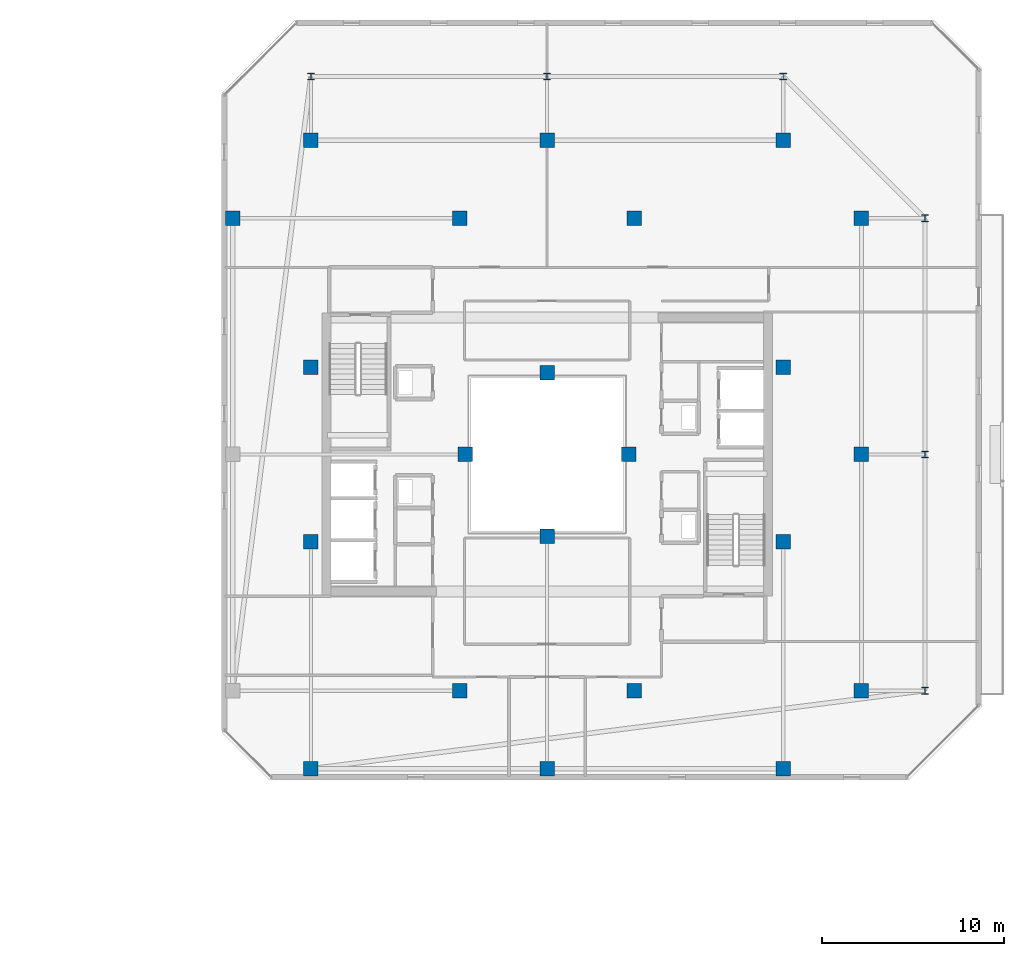
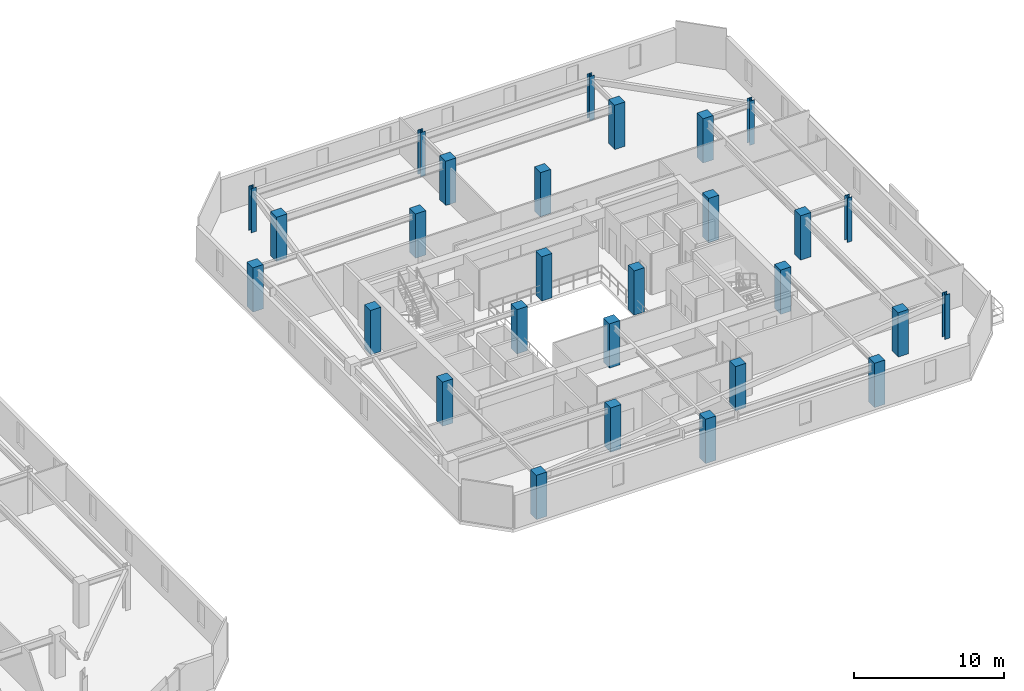
# One storey, part 4 of 34: 28 columns.
"""IFC4 building model written with IfcOpenShell, lengths in metres."""

from ifc_helpers import new_model, si_unit, direction, frame, origin, origin_2d, place, context, subcontext, project, spatial, rectangle, i_section, extrude, material, material_profile, profile_set, type_object, element, save


model = new_model("IFC4")

# Units and contexts
model_context = context("Model", 3, precision=1e-05, world=origin(), true_north=direction((0.0, 1.0)))
body_context = subcontext(model_context, "Body", "Model", "MODEL_VIEW")
ifc_project = project(units=[si_unit("LENGTHUNIT", "METRE"), si_unit("AREAUNIT", "SQUARE_METRE"), si_unit("VOLUMEUNIT", "CUBIC_METRE"), si_unit("PLANEANGLEUNIT", "RADIAN"), si_unit("MASSUNIT", "GRAM", prefix="KILO")], contexts=[model_context])

# Site, building, storey
site_placement = place(None, origin())
site = spatial("IfcSite", under=ifc_project, at=site_placement, CompositionType="ELEMENT")
building_placement = place(site_placement, origin())
building = spatial("IfcBuilding", under=site, at=building_placement, Name="Thornwick Lancets Civic Towers", CompositionType="ELEMENT")
storey_placement = place(building_placement, frame((0.0, 0.0, 258.300048828125)))
storey = spatial("IfcBuildingStorey", under=building, at=storey_placement, Name="L69", CompositionType="ELEMENT", Elevation=258.300048828125)

# Columns
ifc_material_1 = material(Name="Concrete C50/60", Category="concrete")
ifc_material_profile_1 = material_profile(ifc_material_1, rectangle(XDim=0.800048828125, YDim=0.800048828125, at=origin_2d()), Name="RC 800x800")
ifc_profile_set_1 = profile_set([ifc_material_profile_1], Name="Concrete C50/60")
column_type_1 = type_object("IfcColumnType", Name="COL_RC_800", PredefinedType="COLUMN", material=ifc_profile_set_1)
for number, where, z_axis, x_axis, name in (
    (1, (105.800048828125, 14.0, 0.0), (0.0, 0.0, 1.0), (1.0, 0.0, 0.0), "L69 Spine Mega-Column B01"),
    (2, (105.800048828125, 27.0, 0.0), (0.0, 0.0, 1.0), (1.0, 0.0, 0.0), "L69 Spine Mega-Column B02"),
    (3, (105.800048828125, 40.0, 0.0), (0.0, 0.0, 1.0), (1.0, 0.0, 0.0), "L69 Spine Mega-Column B03"),
    (4, (101.5, 44.300048828125, 0.0), (0.0, 0.0, 1.0), (1.0, 0.0, 0.0), "L69 Spine Mega-Column B04"),
    (5, (88.5, 44.300048828125, 0.0), (0.0, 0.0, 1.0), (1.0, 0.0, 0.0), "L69 Spine Mega-Column B05"),
    (6, (75.5, 44.300048828125, 0.0), (0.0, 0.0, 1.0), (1.0, 0.0, 0.0), "L69 Spine Mega-Column B06"),
    (7, (71.199951171875, 40.0, 0.0), (0.0, 0.0, 1.0), (1.0, 0.0, 0.0), "L69 Spine Mega-Column B09"),
    (8, (101.5, 9.699951171875, 0.0), (0.0, 0.0, 1.0), (1.0, 0.0, 0.0), "L69 Spine Mega-Column B10"),
    (9, (88.5, 9.699951171875, 0.0), (0.0, 0.0, 1.0), (1.0, 0.0, 0.0), "L69 Spine Mega-Column B11"),
    (10, (75.5, 9.699951171875, 0.0), (0.0, 0.0, 1.0), (1.0, 0.0, 0.0), "L69 Spine Mega-Column B12"),
    (11, (93.300048828125, 14.0, 0.0), (0.0, 0.0, 1.0), (1.0, 0.0, 0.0), "L69 Spine Mega-Column B13"),
    (12, (93.300048828125, 40.0, 0.0), (0.0, 0.0, 1.0), (1.0, 0.0, 0.0), "L69 Spine Mega-Column B14"),
    (13, (83.699951171875, 14.0, 0.0), (0.0, 0.0, 1.0), (1.0, 0.0, 0.0), "L69 Spine Mega-Column B15"),
    (14, (83.699951171875, 40.0, 0.0), (0.0, 0.0, 1.0), (1.0, 0.0, 0.0), "L69 Spine Mega-Column B16"),
    (15, (101.5, 22.199951171875, 0.0), (0.0, 0.0, 1.0), (1.0, 0.0, 0.0), "L69 Spine Mega-Column B17"),
    (16, (101.5, 31.800048828125, 0.0), (0.0, 0.0, 1.0), (1.0, 0.0, 0.0), "L69 Spine Mega-Column B18"),
    (17, (75.5, 22.199951171875, 0.0), (0.0, 0.0, 1.0), (1.0, 0.0, 0.0), "L69 Spine Mega-Column B19"),
    (18, (75.5, 31.800048828125, 0.0), (0.0, 0.0, 1.0), (1.0, 0.0, 0.0), "L69 Spine Mega-Column B20"),
    (19, (93.0, 27.0, 0.0), (0.0, 0.0, 1.0), (1.0, 0.0, 0.0), "L69 Spine Mega-Column B21"),
    (20, (84.0, 27.0, 0.0), (0.0, 0.0, 1.0), (1.0, 0.0, 0.0), "L69 Spine Mega-Column B22"),
    (21, (88.5, 22.5, 0.0), (0.0, 0.0, 1.0), (1.0, 0.0, 0.0), "L69 Spine Mega-Column B23"),
    (22, (88.5, 31.5, 0.0), (0.0, 0.0, 1.0), (1.0, 0.0, 0.0), "L69 Spine Mega-Column B24"),
):
    element("IfcColumn", number, at=place(storey_placement, frame(where, z_axis=z_axis, x_axis=x_axis)), inside=storey, type_object=column_type_1, Name=name, PredefinedType="COLUMN", context=body_context, shape_type="SweptSolid", body=[
        extrude(rectangle(XDim=0.800048828125, YDim=0.800048828125, at=origin_2d()), origin(), (0.0, 0.0, 1.0), 3.599853515625),
    ])
ifc_material_2 = material(Name="Steel S355JR", Category="steel")
ifc_material_profile_2 = material_profile(ifc_material_2, i_section(OverallWidth=0.374755859375, OverallDepth=0.37451171875, WebThickness=0.0166015625, FlangeThickness=0.027099609375, FilletRadius=0.01513671875, at=origin_2d()), Name="UKC 356x368x202")
ifc_profile_set_2 = profile_set([ifc_material_profile_2], Name="Steel S355JR")
column_type_2 = type_object("IfcColumnType", Name="COL_UKC_202", PredefinedType="COLUMN", material=ifc_profile_set_2)
for number, where, z_axis, x_axis, name in (
    (23, (109.300048828125, 14.0, 0.0), (0.0, 0.0, 1.0), (1.0, 0.0, 0.0), "L69 Block Perimeter Column B01"),
    (24, (109.300048828125, 27.0, 0.0), (0.0, 0.0, 1.0), (1.0, 0.0, 0.0), "L69 Block Perimeter Column B02"),
    (25, (109.300048828125, 40.0, 0.0), (0.0, 0.0, 1.0), (1.0, 0.0, 0.0), "L69 Block Perimeter Column B03"),
    (26, (101.5, 47.800048828125, 0.0), (0.0, 0.0, 1.0), (1.0, 0.0, 0.0), "L69 Block Perimeter Column B04"),
    (27, (88.5, 47.800048828125, 0.0), (0.0, 0.0, 1.0), (1.0, 0.0, 0.0), "L69 Block Perimeter Column B05"),
    (28, (75.5, 47.800048828125, 0.0), (0.0, 0.0, 1.0), (1.0, 0.0, 0.0), "L69 Block Perimeter Column B06"),
):
    element("IfcColumn", number, at=place(storey_placement, frame(where, z_axis=z_axis, x_axis=x_axis)), inside=storey, type_object=column_type_2, Name=name, PredefinedType="COLUMN", context=body_context, shape_type="SweptSolid", body=[
        extrude(i_section(OverallWidth=0.374755859375, OverallDepth=0.37451171875, WebThickness=0.0166015625, FlangeThickness=0.027099609375, FilletRadius=0.01513671875, at=origin_2d()), origin(), (0.0, 0.0, 1.0), 3.599853515625),
    ])

save(model, "model.ifc")
